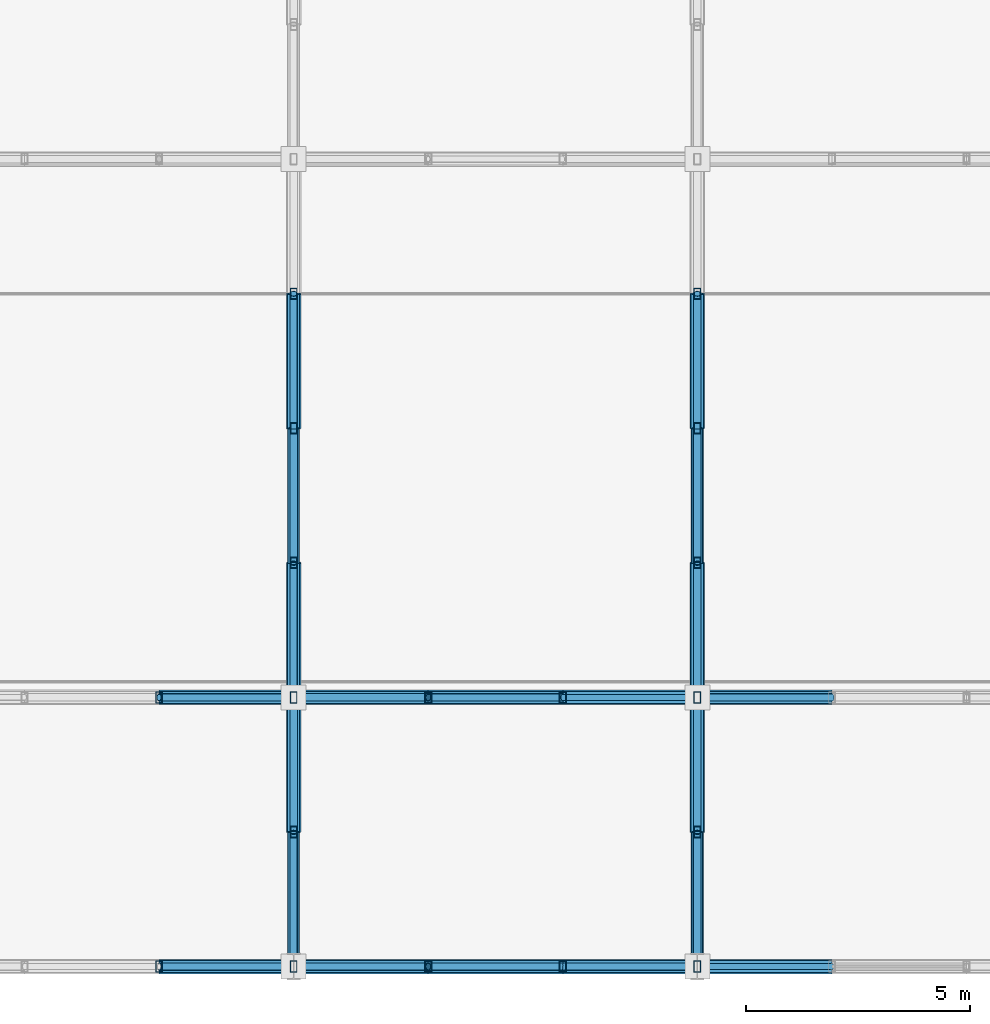
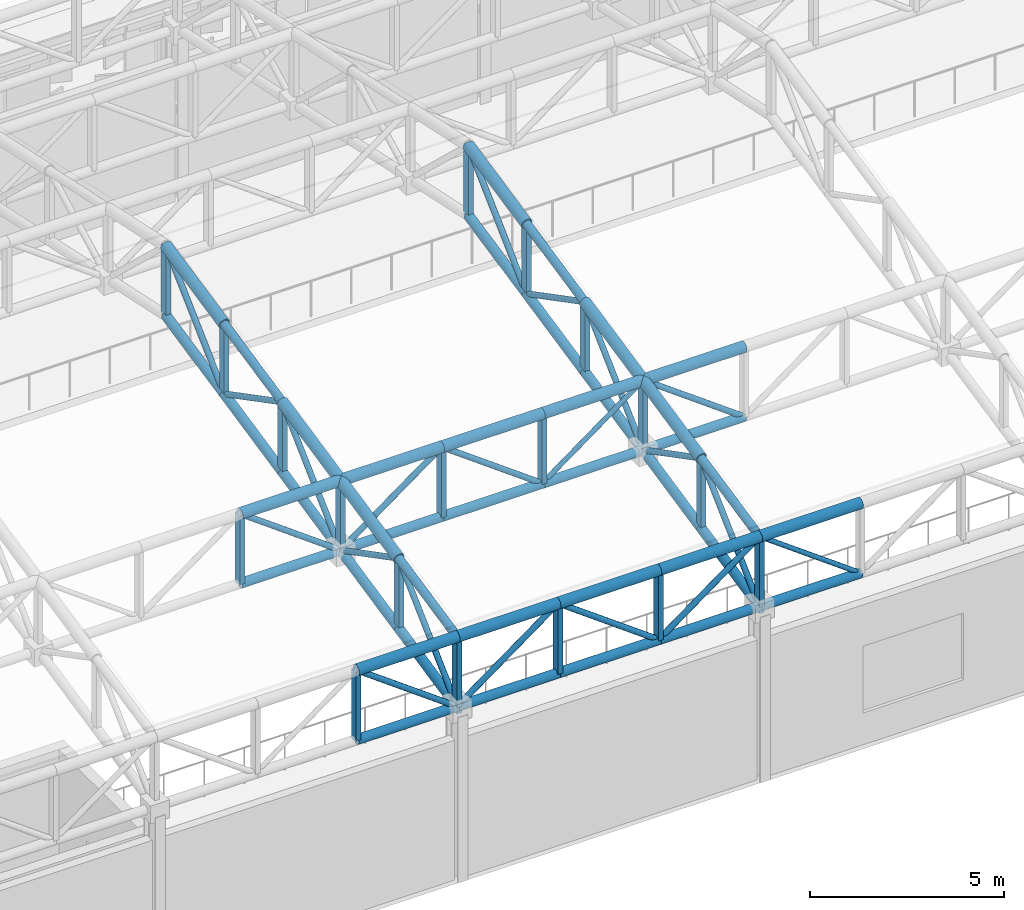
# One storey, part 14 of 112: 78 members.
"""IFC4 building model written with IfcOpenShell, lengths in metres."""

from ifc_helpers import new_model, si_unit, direction, frame, origin, origin_2d, place, context, subcontext, project, spatial, hollow_rectangle, hollow_circle, extrude, material, material_profile, profile_set, type_object, element, save


model = new_model("IFC4")

# Units and contexts
model_context = context("Model", 3, precision=1e-05, world=origin(), true_north=direction((0.0, 1.0)))
body_context = subcontext(model_context, "Body", "Model", "MODEL_VIEW")
ifc_project = project(units=[si_unit("LENGTHUNIT", "METRE"), si_unit("AREAUNIT", "SQUARE_METRE"), si_unit("VOLUMEUNIT", "CUBIC_METRE"), si_unit("PLANEANGLEUNIT", "RADIAN"), si_unit("MASSUNIT", "GRAM", prefix="KILO")], contexts=[model_context])

# Site, building, storey
site_placement = place(None, origin())
site = spatial("IfcSite", under=ifc_project, at=site_placement, CompositionType="ELEMENT")
building_placement = place(site_placement, origin())
building = spatial("IfcBuilding", under=site, at=building_placement, Name="Kaldris Quays Convention Centre", CompositionType="ELEMENT")
storey_placement = place(building_placement, frame((0.0, 0.0, 16.800048828125)))
storey = spatial("IfcBuildingStorey", under=building, at=storey_placement, Name="L03", CompositionType="ELEMENT", Elevation=16.800048828125)

# Members
ifc_material = material(Name="Steel S355J2H", Category="steel")
ifc_material_profile_1 = material_profile(ifc_material, hollow_circle(Radius=0.161865234375, WallThickness=0.01611328125, at=origin_2d()), Name="CHS 323.9x16")
ifc_profile_set_1 = profile_set([ifc_material_profile_1], Name="Steel S355J2H")
member_type_1 = type_object("IfcMemberType", Name="STRUCTURAL MEMBER SC03", PredefinedType="CHORD", material=ifc_profile_set_1)
for number, where, z_axis, x_axis, name in (
    (1, (35.0, 16.0, 7.530517578125), (1.0, 0.0, 0.0), (0.0, 1.0, 0.0), "SF-V3 Top Chord X 6"),
    (2, (38.0, 16.0, 7.530517578125), (1.0, 0.0, 0.0), (0.0, 1.0, 0.0), "SF-V3 Top Chord X 7"),
    (3, (41.0, 16.0, 7.530517578125), (1.0, 0.0, 0.0), (0.0, 1.0, 0.0), "SF-V3 Top Chord X 8"),
    (4, (44.0, 16.0, 7.530517578125), (1.0, 0.0, 0.0), (0.0, 1.0, 0.0), "SF-V3 Top Chord X 9"),
    (5, (47.0, 16.0, 7.530517578125), (1.0, 0.0, 0.0), (0.0, 1.0, 0.0), "SF-V3 Top Chord X 10"),
    (6, (35.0, 22.0, 8.810546875), (1.0, 0.0, 0.0), (0.0, 1.0, 0.0), "SF-V3 Top Chord X 27"),
    (7, (38.0, 22.0, 8.810546875), (1.0, 0.0, 0.0), (0.0, 1.0, 0.0), "SF-V3 Top Chord X 28"),
    (8, (41.0, 22.0, 8.810546875), (1.0, 0.0, 0.0), (0.0, 1.0, 0.0), "SF-V3 Top Chord X 29"),
    (9, (44.0, 22.0, 8.810546875), (1.0, 0.0, 0.0), (0.0, 1.0, 0.0), "SF-V3 Top Chord X 30"),
    (10, (47.0, 22.0, 8.810546875), (1.0, 0.0, 0.0), (0.0, 1.0, 0.0), "SF-V3 Top Chord X 31"),
):
    element("IfcMember", number, at=place(storey_placement, frame(where, z_axis=z_axis, x_axis=x_axis)), inside=storey, type_object=member_type_1, Name=name, PredefinedType="CHORD", context=body_context, shape_type="SweptSolid", body=[
        extrude(hollow_circle(Radius=0.161865234375, WallThickness=0.01611328125, at=origin_2d()), origin(), (0.0, 0.0, 1.0), 3.0),
    ])
member_1_placement = place(storey_placement, frame((38.0, 19.0, 8.17041015625), z_axis=(0.0, 0.977983741211, 0.20868110103), x_axis=(-1.0, 0.0, 0.0)))
element("IfcMember", 11, at=member_1_placement, inside=storey, type_object=member_type_1, Name="SF-V3 Top Chord Y 127", PredefinedType="CHORD", context=body_context, shape_type="SweptSolid", body=[
    extrude(hollow_circle(Radius=0.161865234375, WallThickness=0.01611328125, at=origin_2d()), origin(), (0.0, 0.0, 1.0), 3.067626953125),
])
member_2_placement = place(storey_placement, frame((38.0, 22.0, 8.810546875), z_axis=(0.0, 0.977999981478, 0.208604976518), x_axis=(-1.0, 0.0, 0.0)))
element("IfcMember", 12, at=member_2_placement, inside=storey, type_object=member_type_1, Name="SF-V3 Top Chord Y 128", PredefinedType="CHORD", context=body_context, shape_type="SweptSolid", body=[
    extrude(hollow_circle(Radius=0.161865234375, WallThickness=0.01611328125, at=origin_2d()), origin(), (0.0, 0.0, 1.0), 3.0673828125),
])
for number, where, z_axis, x_axis, name in (
    (13, (38.0, 28.0, 10.09033203125), (0.0, 0.977983741211, 0.20868110103), (-1.0, 0.0, 0.0), "SF-V3 Top Chord Y 130"),
    (14, (47.0, 19.0, 8.17041015625), (0.0, 0.977983741211, 0.20868110103), (-1.0, 0.0, 0.0), "SF-V3 Top Chord Y 137"),
):
    element("IfcMember", number, at=place(storey_placement, frame(where, z_axis=z_axis, x_axis=x_axis)), inside=storey, type_object=member_type_1, Name=name, PredefinedType="CHORD", context=body_context, shape_type="SweptSolid", body=[
        extrude(hollow_circle(Radius=0.161865234375, WallThickness=0.01611328125, at=origin_2d()), origin(), (0.0, 0.0, 1.0), 3.067626953125),
    ])
member_3_placement = place(storey_placement, frame((47.0, 22.0, 8.810546875), z_axis=(0.0, 0.977999981478, 0.208604976518), x_axis=(-1.0, 0.0, 0.0)))
element("IfcMember", 15, at=member_3_placement, inside=storey, type_object=member_type_1, Name="SF-V3 Top Chord Y 138", PredefinedType="CHORD", context=body_context, shape_type="SweptSolid", body=[
    extrude(hollow_circle(Radius=0.161865234375, WallThickness=0.01611328125, at=origin_2d()), origin(), (0.0, 0.0, 1.0), 3.0673828125),
])
member_4_placement = place(storey_placement, frame((47.0, 28.0, 10.09033203125), z_axis=(0.0, 0.977983741211, 0.20868110103), x_axis=(-1.0, 0.0, 0.0)))
element("IfcMember", 16, at=member_4_placement, inside=storey, type_object=member_type_1, Name="SF-V3 Top Chord Y 140", PredefinedType="CHORD", context=body_context, shape_type="SweptSolid", body=[
    extrude(hollow_circle(Radius=0.161865234375, WallThickness=0.01611328125, at=origin_2d()), origin(), (0.0, 0.0, 1.0), 3.067626953125),
])
ifc_material_profile_2 = material_profile(ifc_material, hollow_circle(Radius=0.136474609375, WallThickness=0.012451171875, at=origin_2d()), Name="CHS 273x12.5")
ifc_profile_set_2 = profile_set([ifc_material_profile_2], Name="Steel S355J2H")
member_type_2 = type_object("IfcMemberType", Name="STRUCTURAL MEMBER SC04", PredefinedType="CHORD", material=ifc_profile_set_2)
for number, where, z_axis, x_axis, name in (
    (17, (35.0, 16.0, 5.33056640625), (1.0, 0.0, 0.0), (0.0, 1.0, 0.0), "SF-V3 Bottom Chord X 6"),
    (18, (38.0, 16.0, 5.33056640625), (1.0, 0.0, 0.0), (0.0, 1.0, 0.0), "SF-V3 Bottom Chord X 7"),
    (19, (41.0, 16.0, 5.33056640625), (1.0, 0.0, 0.0), (0.0, 1.0, 0.0), "SF-V3 Bottom Chord X 8"),
    (20, (44.0, 16.0, 5.33056640625), (1.0, 0.0, 0.0), (0.0, 1.0, 0.0), "SF-V3 Bottom Chord X 9"),
    (21, (47.0, 16.0, 5.33056640625), (1.0, 0.0, 0.0), (0.0, 1.0, 0.0), "SF-V3 Bottom Chord X 10"),
    (22, (35.0, 22.0, 6.6103515625), (1.0, 0.0, 0.0), (0.0, 1.0, 0.0), "SF-V3 Bottom Chord X 27"),
    (23, (38.0, 22.0, 6.6103515625), (1.0, 0.0, 0.0), (0.0, 1.0, 0.0), "SF-V3 Bottom Chord X 28"),
    (24, (41.0, 22.0, 6.6103515625), (1.0, 0.0, 0.0), (0.0, 1.0, 0.0), "SF-V3 Bottom Chord X 29"),
    (25, (44.0, 22.0, 6.6103515625), (1.0, 0.0, 0.0), (0.0, 1.0, 0.0), "SF-V3 Bottom Chord X 30"),
    (26, (47.0, 22.0, 6.6103515625), (1.0, 0.0, 0.0), (0.0, 1.0, 0.0), "SF-V3 Bottom Chord X 31"),
):
    element("IfcMember", number, at=place(storey_placement, frame(where, z_axis=z_axis, x_axis=x_axis)), inside=storey, type_object=member_type_2, Name=name, PredefinedType="CHORD", context=body_context, shape_type="SweptSolid", body=[
        extrude(hollow_circle(Radius=0.136474609375, WallThickness=0.012451171875, at=origin_2d()), origin(), (0.0, 0.0, 1.0), 3.0),
    ])
for number, where, z_axis, x_axis, name in (
    (27, (38.0, 16.0, 5.33056640625), (0.0, 0.977999981478, 0.208604976518), (-1.0, 0.0, 0.0), "SF-V3 Bottom Chord Y 126"),
    (28, (38.0, 19.0, 5.970458984375), (0.0, 0.977999981478, 0.208604976518), (-1.0, 0.0, 0.0), "SF-V3 Bottom Chord Y 127"),
):
    element("IfcMember", number, at=place(storey_placement, frame(where, z_axis=z_axis, x_axis=x_axis)), inside=storey, type_object=member_type_2, Name=name, PredefinedType="CHORD", context=body_context, shape_type="SweptSolid", body=[
        extrude(hollow_circle(Radius=0.136474609375, WallThickness=0.012451171875, at=origin_2d()), origin(), (0.0, 0.0, 1.0), 3.0673828125),
    ])
member_5_placement = place(storey_placement, frame((38.0, 22.0, 6.6103515625), z_axis=(0.0, 0.977983741211, 0.20868110103), x_axis=(-1.0, 0.0, 0.0)))
element("IfcMember", 29, at=member_5_placement, inside=storey, type_object=member_type_2, Name="SF-V3 Bottom Chord Y 128", PredefinedType="CHORD", context=body_context, shape_type="SweptSolid", body=[
    extrude(hollow_circle(Radius=0.136474609375, WallThickness=0.012451171875, at=origin_2d()), origin(), (0.0, 0.0, 1.0), 3.067626953125),
])
member_6_placement = place(storey_placement, frame((38.0, 25.0, 7.25048828125), z_axis=(0.0, 0.977999981478, 0.208604976518), x_axis=(-1.0, 0.0, 0.0)))
element("IfcMember", 30, at=member_6_placement, inside=storey, type_object=member_type_2, Name="SF-V3 Bottom Chord Y 129", PredefinedType="CHORD", context=body_context, shape_type="SweptSolid", body=[
    extrude(hollow_circle(Radius=0.136474609375, WallThickness=0.012451171875, at=origin_2d()), origin(), (0.0, 0.0, 1.0), 3.0673828125),
])
member_7_placement = place(storey_placement, frame((38.0, 28.0, 7.890380859375), z_axis=(0.0, 0.977983741211, 0.20868110103), x_axis=(-1.0, 0.0, 0.0)))
element("IfcMember", 31, at=member_7_placement, inside=storey, type_object=member_type_2, Name="SF-V3 Bottom Chord Y 130", PredefinedType="CHORD", context=body_context, shape_type="SweptSolid", body=[
    extrude(hollow_circle(Radius=0.136474609375, WallThickness=0.012451171875, at=origin_2d()), origin(), (0.0, 0.0, 1.0), 3.067626953125),
])
for number, where, z_axis, x_axis, name in (
    (32, (47.0, 16.0, 5.33056640625), (0.0, 0.977999981478, 0.208604976518), (-1.0, 0.0, 0.0), "SF-V3 Bottom Chord Y 136"),
    (33, (47.0, 19.0, 5.970458984375), (0.0, 0.977999981478, 0.208604976518), (-1.0, 0.0, 0.0), "SF-V3 Bottom Chord Y 137"),
):
    element("IfcMember", number, at=place(storey_placement, frame(where, z_axis=z_axis, x_axis=x_axis)), inside=storey, type_object=member_type_2, Name=name, PredefinedType="CHORD", context=body_context, shape_type="SweptSolid", body=[
        extrude(hollow_circle(Radius=0.136474609375, WallThickness=0.012451171875, at=origin_2d()), origin(), (0.0, 0.0, 1.0), 3.0673828125),
    ])
member_8_placement = place(storey_placement, frame((47.0, 22.0, 6.6103515625), z_axis=(0.0, 0.977983741211, 0.20868110103), x_axis=(-1.0, 0.0, 0.0)))
element("IfcMember", 34, at=member_8_placement, inside=storey, type_object=member_type_2, Name="SF-V3 Bottom Chord Y 138", PredefinedType="CHORD", context=body_context, shape_type="SweptSolid", body=[
    extrude(hollow_circle(Radius=0.136474609375, WallThickness=0.012451171875, at=origin_2d()), origin(), (0.0, 0.0, 1.0), 3.067626953125),
])
member_9_placement = place(storey_placement, frame((47.0, 25.0, 7.25048828125), z_axis=(0.0, 0.977999981478, 0.208604976518), x_axis=(-1.0, 0.0, 0.0)))
element("IfcMember", 35, at=member_9_placement, inside=storey, type_object=member_type_2, Name="SF-V3 Bottom Chord Y 139", PredefinedType="CHORD", context=body_context, shape_type="SweptSolid", body=[
    extrude(hollow_circle(Radius=0.136474609375, WallThickness=0.012451171875, at=origin_2d()), origin(), (0.0, 0.0, 1.0), 3.0673828125),
])
member_10_placement = place(storey_placement, frame((47.0, 28.0, 7.890380859375), z_axis=(0.0, 0.977983741211, 0.20868110103), x_axis=(-1.0, 0.0, 0.0)))
element("IfcMember", 36, at=member_10_placement, inside=storey, type_object=member_type_2, Name="SF-V3 Bottom Chord Y 140", PredefinedType="CHORD", context=body_context, shape_type="SweptSolid", body=[
    extrude(hollow_circle(Radius=0.136474609375, WallThickness=0.012451171875, at=origin_2d()), origin(), (0.0, 0.0, 1.0), 3.067626953125),
])
ifc_material_profile_3 = material_profile(ifc_material, hollow_circle(Radius=0.122314453125, WallThickness=0.010009765625, at=origin_2d()), Name="CHS 244.5x10")
ifc_profile_set_3 = profile_set([ifc_material_profile_3], Name="Steel S355J2H")
member_type_3 = type_object("IfcMemberType", Name="STRUCTURAL MEMBER SC05", PredefinedType="CHORD", material=ifc_profile_set_3)
for number, where, z_axis, x_axis, name in (
    (37, (38.0, 16.0, 7.530517578125), (0.0, 0.977999981478, 0.208604976518), (-1.0, 0.0, 0.0), "SF-V3 Top Chord Y 126"),
    (38, (38.0, 25.0, 9.450439453125), (0.0, 0.977999981478, 0.208604976518), (-1.0, 0.0, 0.0), "SF-V3 Top Chord Y 129"),
    (39, (47.0, 16.0, 7.530517578125), (0.0, 0.977999981478, 0.208604976518), (-1.0, 0.0, 0.0), "SF-V3 Top Chord Y 136"),
    (40, (47.0, 25.0, 9.450439453125), (0.0, 0.977999981478, 0.208604976518), (-1.0, 0.0, 0.0), "SF-V3 Top Chord Y 139"),
):
    element("IfcMember", number, at=place(storey_placement, frame(where, z_axis=z_axis, x_axis=x_axis)), inside=storey, type_object=member_type_3, Name=name, PredefinedType="CHORD", context=body_context, shape_type="SweptSolid", body=[
        extrude(hollow_circle(Radius=0.122314453125, WallThickness=0.010009765625, at=origin_2d()), origin(), (0.0, 0.0, 1.0), 3.0673828125),
    ])
ifc_material_profile_4 = material_profile(ifc_material, hollow_circle(Radius=0.084228515625, WallThickness=0.008056640625, at=origin_2d()), Name="CHS 168.3x8")
ifc_profile_set_4 = profile_set([ifc_material_profile_4], Name="Steel S355J2H")
member_type_4 = type_object("IfcMemberType", Name="STRUCTURAL MEMBER SWB2", PredefinedType="BRACE", material=ifc_profile_set_4)
for number, where, z_axis, x_axis, name in (
    (41, (38.0, 16.0, 5.33056640625), (-0.80641125493, 0.0, 0.591355128432), (0.0, -1.0, 0.0), "SF-V3 Web Diagonal X 6"),
    (42, (38.0, 16.0, 5.33056640625), (0.80641125493, 0.0, 0.591355128432), (0.0, 1.0, 0.0), "SF-V3 Web Diagonal X 7"),
    (43, (44.0, 16.0, 5.33056640625), (-0.80641125493, 0.0, 0.591355128432), (0.0, -1.0, 0.0), "SF-V3 Web Diagonal X 8"),
    (44, (44.0, 16.0, 5.33056640625), (0.80641125493, 0.0, 0.591355128432), (0.0, 1.0, 0.0), "SF-V3 Web Diagonal X 9"),
    (45, (38.0, 22.0, 6.6103515625), (-0.806379959628, 0.0, 0.591397802423), (0.0, -1.0, 0.0), "SF-V3 Web Diagonal X 27"),
    (46, (38.0, 22.0, 6.6103515625), (0.806379959628, 0.0, 0.591397802423), (0.0, 1.0, 0.0), "SF-V3 Web Diagonal X 28"),
    (47, (44.0, 22.0, 6.6103515625), (-0.806379959628, 0.0, 0.591397802423), (0.0, -1.0, 0.0), "SF-V3 Web Diagonal X 29"),
    (48, (50.0, 22.0, 6.6103515625), (-0.806379959628, 0.0, 0.591397802423), (0.0, -1.0, 0.0), "SF-V3 Web Diagonal X 31"),
):
    element("IfcMember", number, at=place(storey_placement, frame(where, z_axis=z_axis, x_axis=x_axis)), inside=storey, type_object=member_type_4, Name=name, PredefinedType="BRACE", context=body_context, shape_type="SweptSolid", body=[
        extrude(hollow_circle(Radius=0.084228515625, WallThickness=0.008056640625, at=origin_2d()), origin(), (0.0, 0.0, 1.0), 3.72021484375),
    ])
member_11_placement = place(storey_placement, frame((38.0, 16.0, 5.33056640625), z_axis=(0.0, 0.72622595523, 0.687456080016), x_axis=(-1.0, 0.0, 0.0)))
element("IfcMember", 49, at=member_11_placement, inside=storey, type_object=member_type_4, Name="SF-V3 Web Diagonal Y 126", PredefinedType="BRACE", context=body_context, shape_type="SweptSolid", body=[
    extrude(hollow_circle(Radius=0.084228515625, WallThickness=0.008056640625, at=origin_2d()), origin(), (0.0, 0.0, 1.0), 4.130859375),
])
member_12_placement = place(storey_placement, frame((38.0, 22.0, 6.6103515625), z_axis=(0.0, -0.887209708306, 0.461366376634), x_axis=(1.0, 0.0, 0.0)))
element("IfcMember", 50, at=member_12_placement, inside=storey, type_object=member_type_4, Name="SF-V3 Web Diagonal Y 127", PredefinedType="BRACE", context=body_context, shape_type="SweptSolid", body=[
    extrude(hollow_circle(Radius=0.084228515625, WallThickness=0.008056640625, at=origin_2d()), origin(), (0.0, 0.0, 1.0), 3.38134765625),
])
member_13_placement = place(storey_placement, frame((38.0, 22.0, 6.6103515625), z_axis=(0.0, 0.726196449967, 0.687487247922), x_axis=(-1.0, 0.0, 0.0)))
element("IfcMember", 51, at=member_13_placement, inside=storey, type_object=member_type_4, Name="SF-V3 Web Diagonal Y 128", PredefinedType="BRACE", context=body_context, shape_type="SweptSolid", body=[
    extrude(hollow_circle(Radius=0.084228515625, WallThickness=0.008056640625, at=origin_2d()), origin(), (0.0, 0.0, 1.0), 4.131103515625),
])
member_14_placement = place(storey_placement, frame((38.0, 28.0, 7.890380859375), z_axis=(0.0, -0.887209708306, 0.461366376634), x_axis=(1.0, 0.0, 0.0)))
element("IfcMember", 52, at=member_14_placement, inside=storey, type_object=member_type_4, Name="SF-V3 Web Diagonal Y 129", PredefinedType="BRACE", context=body_context, shape_type="SweptSolid", body=[
    extrude(hollow_circle(Radius=0.084228515625, WallThickness=0.008056640625, at=origin_2d()), origin(), (0.0, 0.0, 1.0), 3.38134765625),
])
member_15_placement = place(storey_placement, frame((38.0, 28.0, 7.890380859375), z_axis=(0.0, 0.726196449967, 0.687487247922), x_axis=(-1.0, 0.0, 0.0)))
element("IfcMember", 53, at=member_15_placement, inside=storey, type_object=member_type_4, Name="SF-V3 Web Diagonal Y 130", PredefinedType="BRACE", context=body_context, shape_type="SweptSolid", body=[
    extrude(hollow_circle(Radius=0.084228515625, WallThickness=0.008056640625, at=origin_2d()), origin(), (0.0, 0.0, 1.0), 4.131103515625),
])
member_16_placement = place(storey_placement, frame((47.0, 16.0, 5.33056640625), z_axis=(0.0, 0.72622595523, 0.687456080016), x_axis=(-1.0, 0.0, 0.0)))
element("IfcMember", 54, at=member_16_placement, inside=storey, type_object=member_type_4, Name="SF-V3 Web Diagonal Y 136", PredefinedType="BRACE", context=body_context, shape_type="SweptSolid", body=[
    extrude(hollow_circle(Radius=0.084228515625, WallThickness=0.008056640625, at=origin_2d()), origin(), (0.0, 0.0, 1.0), 4.130859375),
])
member_17_placement = place(storey_placement, frame((47.0, 22.0, 6.6103515625), z_axis=(0.0, -0.887209708306, 0.461366376634), x_axis=(1.0, 0.0, 0.0)))
element("IfcMember", 55, at=member_17_placement, inside=storey, type_object=member_type_4, Name="SF-V3 Web Diagonal Y 137", PredefinedType="BRACE", context=body_context, shape_type="SweptSolid", body=[
    extrude(hollow_circle(Radius=0.084228515625, WallThickness=0.008056640625, at=origin_2d()), origin(), (0.0, 0.0, 1.0), 3.38134765625),
])
member_18_placement = place(storey_placement, frame((47.0, 22.0, 6.6103515625), z_axis=(0.0, 0.726196449967, 0.687487247922), x_axis=(-1.0, 0.0, 0.0)))
element("IfcMember", 56, at=member_18_placement, inside=storey, type_object=member_type_4, Name="SF-V3 Web Diagonal Y 138", PredefinedType="BRACE", context=body_context, shape_type="SweptSolid", body=[
    extrude(hollow_circle(Radius=0.084228515625, WallThickness=0.008056640625, at=origin_2d()), origin(), (0.0, 0.0, 1.0), 4.131103515625),
])
member_19_placement = place(storey_placement, frame((47.0, 28.0, 7.890380859375), z_axis=(0.0, -0.887209708306, 0.461366376634), x_axis=(1.0, 0.0, 0.0)))
element("IfcMember", 57, at=member_19_placement, inside=storey, type_object=member_type_4, Name="SF-V3 Web Diagonal Y 139", PredefinedType="BRACE", context=body_context, shape_type="SweptSolid", body=[
    extrude(hollow_circle(Radius=0.084228515625, WallThickness=0.008056640625, at=origin_2d()), origin(), (0.0, 0.0, 1.0), 3.38134765625),
])
member_20_placement = place(storey_placement, frame((47.0, 28.0, 7.890380859375), z_axis=(0.0, 0.726196449967, 0.687487247922), x_axis=(-1.0, 0.0, 0.0)))
element("IfcMember", 58, at=member_20_placement, inside=storey, type_object=member_type_4, Name="SF-V3 Web Diagonal Y 140", PredefinedType="BRACE", context=body_context, shape_type="SweptSolid", body=[
    extrude(hollow_circle(Radius=0.084228515625, WallThickness=0.008056640625, at=origin_2d()), origin(), (0.0, 0.0, 1.0), 4.131103515625),
])
ifc_material_profile_5 = material_profile(ifc_material, hollow_circle(Radius=0.06982421875, WallThickness=0.00634765625, at=origin_2d()), Name="CHS 139.7x6.3")
ifc_profile_set_5 = profile_set([ifc_material_profile_5], Name="Steel S355J2H")
member_type_5 = type_object("IfcMemberType", Name="STRUCTURAL MEMBER SWB4", PredefinedType="BRACE", material=ifc_profile_set_5)
for number, where, z_axis, x_axis, name in (
    (59, (50.0, 16.0, 5.33056640625), (-0.80641125493, 0.0, 0.591355128432), (0.0, -1.0, 0.0), "SF-V3 Web Diagonal X 10"),
    (60, (44.0, 22.0, 6.6103515625), (0.806379959628, 0.0, 0.591397802423), (0.0, 1.0, 0.0), "SF-V3 Web Diagonal X 30"),
):
    element("IfcMember", number, at=place(storey_placement, frame(where, z_axis=z_axis, x_axis=x_axis)), inside=storey, type_object=member_type_5, Name=name, PredefinedType="BRACE", context=body_context, shape_type="SweptSolid", body=[
        extrude(hollow_circle(Radius=0.06982421875, WallThickness=0.00634765625, at=origin_2d()), origin(), (0.0, 0.0, 1.0), 3.72021484375),
    ])
ifc_material_profile_6 = material_profile(ifc_material, hollow_rectangle(XDim=0.14990234375, YDim=0.25, WallThickness=0.010009765625, at=origin_2d()), Name="RHS 250x150x10")
ifc_profile_set_6 = profile_set([ifc_material_profile_6], Name="Steel S355J2H")
member_type_6 = type_object("IfcMemberType", Name="STRUCTURAL MEMBER TTV1", PredefinedType="POST", material=ifc_profile_set_6)
member_21_placement = place(storey_placement, frame((35.0, 16.0, 5.33056640625), z_axis=(0.0, 0.0, 1.0), x_axis=(1.0, 0.0, 0.0)))
element("IfcMember", 61, at=member_21_placement, inside=storey, type_object=member_type_6, Name="SF-V3 Space-Frame Post 38", PredefinedType="POST", context=body_context, shape_type="SweptSolid", body=[
    extrude(hollow_rectangle(XDim=0.14990234375, YDim=0.25, WallThickness=0.010009765625, at=origin_2d()), origin(), (0.0, 0.0, 1.0), 2.199951171875),
])
member_22_placement = place(storey_placement, frame((35.0, 22.0, 6.6103515625), z_axis=(0.0, 0.0, 1.0), x_axis=(1.0, 0.0, 0.0)))
element("IfcMember", 62, at=member_22_placement, inside=storey, type_object=member_type_6, Name="SF-V3 Space-Frame Post 39", PredefinedType="POST", context=body_context, shape_type="SweptSolid", body=[
    extrude(hollow_rectangle(XDim=0.14990234375, YDim=0.25, WallThickness=0.010009765625, at=origin_2d()), origin(), (0.0, 0.0, 1.0), 2.2001953125),
])
member_23_placement = place(storey_placement, frame((38.0, 16.0, 5.19384765625), z_axis=(0.0, 0.0, 1.0), x_axis=(1.0, 0.0, 0.0)))
element("IfcMember", 63, at=member_23_placement, inside=storey, type_object=member_type_6, Name="SF-V3 Space-Frame Post 43", PredefinedType="POST", context=body_context, shape_type="SweptSolid", body=[
    extrude(hollow_rectangle(XDim=0.14990234375, YDim=0.25, WallThickness=0.010009765625, at=origin_2d()), origin(), (0.0, 0.0, 1.0), 2.336669921875),
])
member_24_placement = place(storey_placement, frame((38.0, 19.0, 5.970458984375), z_axis=(0.0, 0.0, 1.0), x_axis=(1.0, 0.0, 0.0)))
element("IfcMember", 64, at=member_24_placement, inside=storey, type_object=member_type_6, Name="SF-V3 Space-Frame Post 44", PredefinedType="POST", context=body_context, shape_type="SweptSolid", body=[
    extrude(hollow_rectangle(XDim=0.14990234375, YDim=0.25, WallThickness=0.010009765625, at=origin_2d()), origin(), (0.0, 0.0, 1.0), 2.199951171875),
])
member_25_placement = place(storey_placement, frame((38.0, 22.0, 6.6103515625), z_axis=(0.0, 0.0, 1.0), x_axis=(1.0, 0.0, 0.0)))
element("IfcMember", 65, at=member_25_placement, inside=storey, type_object=member_type_6, Name="SF-V3 Space-Frame Post 45", PredefinedType="POST", context=body_context, shape_type="SweptSolid", body=[
    extrude(hollow_rectangle(XDim=0.14990234375, YDim=0.25, WallThickness=0.010009765625, at=origin_2d()), origin(), (0.0, 0.0, 1.0), 2.2001953125),
])
for number, where, z_axis, x_axis, name in (
    (66, (38.0, 25.0, 7.25048828125), (0.0, 0.0, 1.0), (1.0, 0.0, 0.0), "SF-V3 Space-Frame Post 46"),
    (67, (38.0, 28.0, 7.890380859375), (0.0, 0.0, 1.0), (1.0, 0.0, 0.0), "SF-V3 Space-Frame Post 47"),
    (68, (38.0, 31.0, 8.530517578125), (0.0, 0.0, 1.0), (1.0, 0.0, 0.0), "SF-V3 Space-Frame Post 48"),
    (69, (41.0, 16.0, 5.33056640625), (0.0, 0.0, 1.0), (1.0, 0.0, 0.0), "SF-V3 Space-Frame Post 54"),
):
    element("IfcMember", number, at=place(storey_placement, frame(where, z_axis=z_axis, x_axis=x_axis)), inside=storey, type_object=member_type_6, Name=name, PredefinedType="POST", context=body_context, shape_type="SweptSolid", body=[
        extrude(hollow_rectangle(XDim=0.14990234375, YDim=0.25, WallThickness=0.010009765625, at=origin_2d()), origin(), (0.0, 0.0, 1.0), 2.199951171875),
    ])
member_26_placement = place(storey_placement, frame((41.0, 22.0, 6.6103515625), z_axis=(0.0, 0.0, 1.0), x_axis=(1.0, 0.0, 0.0)))
element("IfcMember", 70, at=member_26_placement, inside=storey, type_object=member_type_6, Name="SF-V3 Space-Frame Post 55", PredefinedType="POST", context=body_context, shape_type="SweptSolid", body=[
    extrude(hollow_rectangle(XDim=0.14990234375, YDim=0.25, WallThickness=0.010009765625, at=origin_2d()), origin(), (0.0, 0.0, 1.0), 2.2001953125),
])
member_27_placement = place(storey_placement, frame((44.0, 16.0, 5.33056640625), z_axis=(0.0, 0.0, 1.0), x_axis=(1.0, 0.0, 0.0)))
element("IfcMember", 71, at=member_27_placement, inside=storey, type_object=member_type_6, Name="SF-V3 Space-Frame Post 59", PredefinedType="POST", context=body_context, shape_type="SweptSolid", body=[
    extrude(hollow_rectangle(XDim=0.14990234375, YDim=0.25, WallThickness=0.010009765625, at=origin_2d()), origin(), (0.0, 0.0, 1.0), 2.199951171875),
])
member_28_placement = place(storey_placement, frame((44.0, 22.0, 6.6103515625), z_axis=(0.0, 0.0, 1.0), x_axis=(1.0, 0.0, 0.0)))
element("IfcMember", 72, at=member_28_placement, inside=storey, type_object=member_type_6, Name="SF-V3 Space-Frame Post 60", PredefinedType="POST", context=body_context, shape_type="SweptSolid", body=[
    extrude(hollow_rectangle(XDim=0.14990234375, YDim=0.25, WallThickness=0.010009765625, at=origin_2d()), origin(), (0.0, 0.0, 1.0), 2.2001953125),
])
member_29_placement = place(storey_placement, frame((47.0, 16.0, 5.19384765625), z_axis=(0.0, 0.0, 1.0), x_axis=(1.0, 0.0, 0.0)))
element("IfcMember", 73, at=member_29_placement, inside=storey, type_object=member_type_6, Name="SF-V3 Space-Frame Post 64", PredefinedType="POST", context=body_context, shape_type="SweptSolid", body=[
    extrude(hollow_rectangle(XDim=0.14990234375, YDim=0.25, WallThickness=0.010009765625, at=origin_2d()), origin(), (0.0, 0.0, 1.0), 2.336669921875),
])
member_30_placement = place(storey_placement, frame((47.0, 19.0, 5.970458984375), z_axis=(0.0, 0.0, 1.0), x_axis=(1.0, 0.0, 0.0)))
element("IfcMember", 74, at=member_30_placement, inside=storey, type_object=member_type_6, Name="SF-V3 Space-Frame Post 65", PredefinedType="POST", context=body_context, shape_type="SweptSolid", body=[
    extrude(hollow_rectangle(XDim=0.14990234375, YDim=0.25, WallThickness=0.010009765625, at=origin_2d()), origin(), (0.0, 0.0, 1.0), 2.199951171875),
])
member_31_placement = place(storey_placement, frame((47.0, 22.0, 6.6103515625), z_axis=(0.0, 0.0, 1.0), x_axis=(1.0, 0.0, 0.0)))
element("IfcMember", 75, at=member_31_placement, inside=storey, type_object=member_type_6, Name="SF-V3 Space-Frame Post 66", PredefinedType="POST", context=body_context, shape_type="SweptSolid", body=[
    extrude(hollow_rectangle(XDim=0.14990234375, YDim=0.25, WallThickness=0.010009765625, at=origin_2d()), origin(), (0.0, 0.0, 1.0), 2.2001953125),
])
for number, where, z_axis, x_axis, name in (
    (76, (47.0, 25.0, 7.25048828125), (0.0, 0.0, 1.0), (1.0, 0.0, 0.0), "SF-V3 Space-Frame Post 67"),
    (77, (47.0, 28.0, 7.890380859375), (0.0, 0.0, 1.0), (1.0, 0.0, 0.0), "SF-V3 Space-Frame Post 68"),
    (78, (47.0, 31.0, 8.530517578125), (0.0, 0.0, 1.0), (1.0, 0.0, 0.0), "SF-V3 Space-Frame Post 69"),
):
    element("IfcMember", number, at=place(storey_placement, frame(where, z_axis=z_axis, x_axis=x_axis)), inside=storey, type_object=member_type_6, Name=name, PredefinedType="POST", context=body_context, shape_type="SweptSolid", body=[
        extrude(hollow_rectangle(XDim=0.14990234375, YDim=0.25, WallThickness=0.010009765625, at=origin_2d()), origin(), (0.0, 0.0, 1.0), 2.199951171875),
    ])

save(model, "model.ifc")
